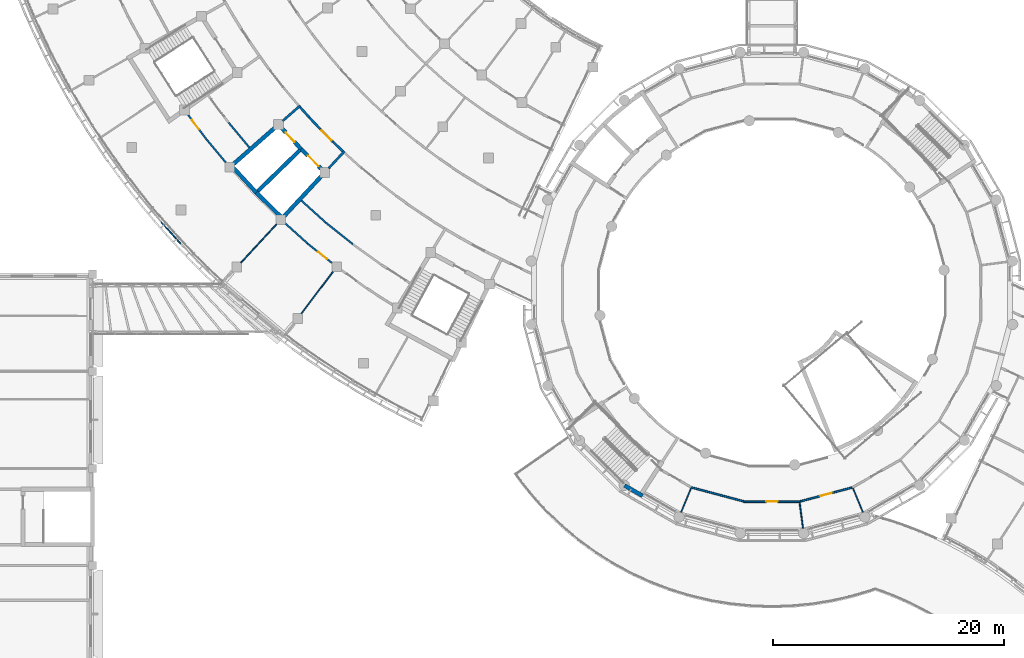
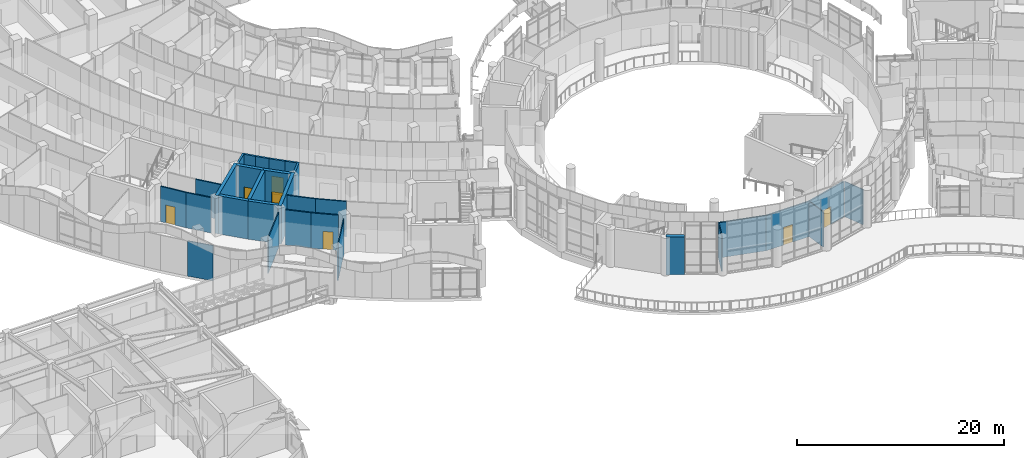
# One storey, part 60 of 136: 30 walls, 7 doors, 7 openings.
"""IFC4 building model written with IfcOpenShell, lengths in metres."""

from ifc_helpers import new_model, si_unit, direction, frame, frame_2d, origin, place, context, subcontext, project, spatial, rectangle, extrude, material, layer, layer_set, type_object, element, fill, save


model = new_model("IFC4")

# Units and contexts
model_context = context("Model", 3, precision=1e-05, world=origin(), true_north=direction((0.0, 1.0)))
body_context = subcontext(model_context, "Body", "Model", "MODEL_VIEW")
ifc_project = project(units=[si_unit("LENGTHUNIT", "METRE"), si_unit("AREAUNIT", "SQUARE_METRE"), si_unit("VOLUMEUNIT", "CUBIC_METRE"), si_unit("PLANEANGLEUNIT", "RADIAN"), si_unit("MASSUNIT", "GRAM", prefix="KILO")], contexts=[model_context])

# Site, building, storey
site_placement = place(None, origin())
site = spatial("IfcSite", under=ifc_project, at=site_placement, CompositionType="ELEMENT")
building_placement = place(site_placement, origin())
building = spatial("IfcBuilding", under=site, at=building_placement, Name="Bougainvillea Quay General Hospital", CompositionType="ELEMENT")
storey_placement = place(building_placement, frame((0.0, 0.0, 5.39990234375)))
storey = spatial("IfcBuildingStorey", under=building, at=storey_placement, Name="L01", CompositionType="ELEMENT", Elevation=5.39990234375)

# Walls
ifc_material_1 = material(Name="Gypsum board partition on steel studs", Category="steel")
ifc_layer_1 = layer(ifc_material_1, 0.10009765625)
ifc_layer_set_1 = layer_set([ifc_layer_1], Name="Gypsum board partition on steel studs")
wall_type_1 = type_object("IfcWallType", Name="Partition 100 Gypsum board partition EI 30", PredefinedType="PARTITIONING", material=ifc_layer_set_1)
wall_1_placement = place(storey_placement, frame((63.244140625, 76.607421875, 0.0), z_axis=(0.0, 0.0, 1.0), x_axis=(0.681263193371, 0.732038565485, 0.0)))
element("IfcWall", 1, at=wall_1_placement, inside=storey, type_object=wall_type_1, Name="Partition 100 mm EI 30", PredefinedType="PARTITIONING", context=body_context, shape_type="SweptSolid", body=[
    extrude(rectangle(XDim=4.529296875, YDim=0.10009765625, at=frame_2d((2.2646484375, 0.0))), origin(), (0.0, 0.0, 1.0), 4.150146484375),
])
wall_2_placement = place(storey_placement, frame((68.4833984375, 72.210693359375, 0.0), z_axis=(0.0, 0.0, 1.0), x_axis=(0.603594766434, 0.797291262923, 0.0)))
element("IfcWall", 2, at=wall_2_placement, inside=storey, type_object=wall_type_1, Name="Partition 100 mm EI 30", PredefinedType="PARTITIONING", context=body_context, shape_type="SweptSolid", body=[
    extrude(rectangle(XDim=4.523681640625, YDim=0.10009765625, at=frame_2d((2.26171875, 0.0))), origin(), (0.0, 0.0, 1.0), 4.150146484375),
])
wall_3_placement = place(storey_placement, frame((116.206298828125, 57.084228515625, 0.0), z_axis=(0.0, 0.0, 1.0), x_axis=(0.382829249812, -0.923819119465, 0.0)))
element("IfcWall", 3, at=wall_3_placement, inside=storey, type_object=wall_type_1, Name="Partition 100 mm EI 30", PredefinedType="PARTITIONING", context=body_context, shape_type="SweptSolid", body=[
    extrude(rectangle(XDim=2.242919921875, YDim=0.10009765625, at=frame_2d((1.12158203125, 0.0))), origin(), (0.0, 0.0, 1.0), 4.150146484375),
])
wall_4_placement = place(storey_placement, frame((101.335205078125, 55.01220703125, 0.0), z_axis=(0.0, 0.0, 1.0), x_axis=(0.382736345947, 0.923857613213, 0.0)))
element("IfcWall", 4, at=wall_4_placement, inside=storey, type_object=wall_type_1, Name="Partition 100 mm EI 30", PredefinedType="PARTITIONING", context=body_context, shape_type="SweptSolid", body=[
    extrude(rectangle(XDim=2.24267578125, YDim=0.10009765625, at=frame_2d((1.121337890625, 0.0))), origin(), (0.0, 0.0, 1.0), 4.150146484375),
])
wall_5_placement = place(storey_placement, frame((111.589599609375, 55.8466796875, 0.0), z_axis=(0.0, 0.0, 1.0), x_axis=(0.13062345865, -0.991432051151, 0.0)))
element("IfcWall", 5, at=wall_5_placement, inside=storey, type_object=wall_type_1, Name="Partition 100 mm EI 30", PredefinedType="PARTITIONING", context=body_context, shape_type="SweptSolid", body=[
    extrude(rectangle(XDim=2.242919921875, YDim=0.10009765625, at=frame_2d((1.12158203125, 0.0))), origin(), (0.0, 0.0, 1.0), 4.150146484375),
])
wall_6_placement = place(storey_placement, frame((56.333251953125, 80.126220703125, 0.0), z_axis=(0.0, 0.0, 1.0), x_axis=(0.66858915831, -0.743631990564, 0.0)))
element("IfcWall", 6, at=wall_6_placement, inside=storey, type_object=wall_type_1, Name="Partition 100 mm EI 30", PredefinedType="PARTITIONING", context=body_context, shape_type="SweptSolid", body=[
    extrude(rectangle(XDim=2.58642578125, YDim=0.10009765625, at=frame_2d((1.293212890625, 0.0))), origin(), (0.0, 0.0, 1.0), 4.150146484375),
])

# Wall, opening, door
ifc_material_2 = material(Name="Gypsum board partition on steel studs, insulated", Category="steel")
ifc_layer_2 = layer(ifc_material_2, 0.14990234375)
ifc_layer_set_2 = layer_set([ifc_layer_2], Name="Gypsum board partition on steel studs, insulated")
wall_type_2 = type_object("IfcWallType", Name="Partition 150 Gypsum board partition EI 30", PredefinedType="PARTITIONING", material=ifc_layer_set_2)
wall_7_placement = place(storey_placement, frame((106.7451171875, 55.927978515625, 0.0), z_axis=(0.0, 0.0, 1.0), x_axis=(1.0, 0.0, 0.0)))
wall_7 = element("IfcWall", 7, at=wall_7_placement, inside=storey, type_object=wall_type_2, Name="Partition 150 mm EI 30", PredefinedType="PARTITIONING", context=body_context, shape_type="SweptSolid", body=[
    extrude(rectangle(XDim=4.908935546875, YDim=0.14990234375, at=frame_2d((2.45458984375, 0.0))), origin(), (0.0, 0.0, 1.0), 4.150146484375),
])
opening_1_placement = place(wall_7_placement, frame((1.95458984375, 0.0, 0.0)))
opening_1 = element("IfcOpeningElement", 8, at=opening_1_placement, cuts=wall_7, Name="Opening L01.288", PredefinedType="OPENING", context=body_context, shape_type="SweptSolid", body=[
    extrude(rectangle(XDim=1.0, YDim=2.10009765625, at=frame_2d((0.5, 1.050048828125))), frame((0.0, 0.0849609375, 0.0), z_axis=(0.0, -1.0, 0.0), x_axis=(1.0, 0.0, 0.0)), (0.0, 0.0, 1.0), 0.169921875),
])
ifc_material_3 = material(Name="Solid-core timber door leaf in steel frame", Category="steel")
door_type_1 = type_object("IfcDoorType", Name="Single leaf door 1000x2100 FD30S", OperationType="NOTDEFINED", PredefinedType="DOOR", material=ifc_material_3)
door_1_placement = place(opening_1_placement, frame((1.0, 0.0, 0.0), z_axis=(0.0, 0.0, 1.0), x_axis=(-1.0, 0.0, 0.0)))
door_1 = element("IfcDoor", 9, at=door_1_placement, inside=storey, type_object=door_type_1, Name="DT15 L01.288", OperationType="SINGLE_SWING_RIGHT", OverallHeight=2.10009765625, OverallWidth=1.0, PredefinedType="DOOR", context=body_context, shape_type="SweptSolid", body=[
    extrude(rectangle(XDim=1.0, YDim=2.10009765625, at=frame_2d((0.5, 1.050048828125))), frame((0.0, 0.02490234375, 0.0), z_axis=(0.0, -1.0, 0.0), x_axis=(1.0, 0.0, 0.0)), (0.0, 0.0, 1.0), 0.050048828125),
])
fill(opening_1, door_1)

wall_8_placement = place(storey_placement, frame((111.635009765625, 55.943115234375, 0.0), z_axis=(0.0, 0.0, 1.0), x_axis=(0.965901562331, 0.258909582454, 0.0)))
wall_8 = element("IfcWall", 10, at=wall_8_placement, inside=storey, type_object=wall_type_2, Name="Partition 150 mm EI 30", PredefinedType="PARTITIONING", context=body_context, shape_type="SweptSolid", body=[
    extrude(rectangle(XDim=4.64208984375, YDim=0.14990234375, at=frame_2d((2.321044921875, 0.0))), origin(), (0.0, 0.0, 1.0), 4.150146484375),
])
opening_2_placement = place(wall_8_placement, frame((1.8212890625, 0.0, 0.0)))
opening_2 = element("IfcOpeningElement", 11, at=opening_2_placement, cuts=wall_8, Name="Opening L01.289", PredefinedType="OPENING", context=body_context, shape_type="SweptSolid", body=[
    extrude(rectangle(XDim=1.0, YDim=2.10009765625, at=frame_2d((0.5, 1.050048828125))), frame((0.0, 0.0849609375, 0.0), z_axis=(0.0, -1.0, 0.0), x_axis=(1.0, 0.0, 0.0)), (0.0, 0.0, 1.0), 0.169921875),
])
door_2_placement = place(opening_2_placement, frame((1.0, 0.0, 0.0), z_axis=(0.0, 0.0, 1.0), x_axis=(-1.0, 0.0, 0.0)))
door_2 = element("IfcDoor", 12, at=door_2_placement, inside=storey, type_object=door_type_1, Name="DT15 L01.289", OperationType="SINGLE_SWING_LEFT", OverallHeight=2.10009765625, OverallWidth=1.0, PredefinedType="DOOR", context=body_context, shape_type="SweptSolid", body=[
    extrude(rectangle(XDim=1.0, YDim=2.10009765625, at=frame_2d((0.5, 1.050048828125))), frame((0.0, 0.02490234375, 0.0), z_axis=(0.0, -1.0, 0.0), x_axis=(1.0, 0.0, 0.0)), (0.0, 0.0, 1.0), 0.050048828125),
])
fill(opening_2, door_2)

# Wall
wall_9_placement = place(storey_placement, frame((102.152587890625, 57.179443359375, 0.0), z_axis=(0.0, 0.0, 1.0), x_axis=(0.965887773881, -0.258961016886, 0.0)))
element("IfcWall", 13, at=wall_9_placement, inside=storey, type_object=wall_type_2, Name="Partition 150 mm EI 30", PredefinedType="PARTITIONING", context=body_context, shape_type="SweptSolid", body=[
    extrude(rectangle(XDim=4.774169921875, YDim=0.14990234375, at=frame_2d((2.38720703125, 0.0))), origin(), (0.0, 0.0, 1.0), 4.150146484375),
])

# Wall, opening, door
wall_10_placement = place(storey_placement, frame((58.695068359375, 89.372802734375, 0.0), z_axis=(0.0, 0.0, 1.0), x_axis=(0.600189191088, -0.799858071724, 0.0)))
wall_10 = element("IfcWall", 14, at=wall_10_placement, inside=storey, type_object=wall_type_2, Name="Partition 150 mm EI 30", PredefinedType="PARTITIONING", context=body_context, shape_type="SweptSolid", body=[
    extrude(rectangle(XDim=2.683837890625, YDim=0.14990234375, at=frame_2d((1.341796875, 0.0))), origin(), (0.0, 0.0, 1.0), 4.150146484375),
])
opening_3_placement = place(wall_10_placement, frame((0.5263671875, 0.0, 0.0)))
opening_3 = element("IfcOpeningElement", 15, at=opening_3_placement, cuts=wall_10, Name="Opening L01.252", PredefinedType="OPENING", context=body_context, shape_type="SweptSolid", body=[
    extrude(rectangle(XDim=1.0, YDim=2.10009765625, at=frame_2d((0.5, 1.050048828125))), frame((0.0, 0.0849609375, 0.0), z_axis=(0.0, -1.0, 0.0), x_axis=(1.0, 0.0, 0.0)), (0.0, 0.0, 1.0), 0.169921875),
])
door_3_placement = place(opening_3_placement, frame((1.0, 0.0, 0.0), z_axis=(0.0, 0.0, 1.0), x_axis=(-1.0, 0.0, 0.0)))
door_3 = element("IfcDoor", 16, at=door_3_placement, inside=storey, type_object=door_type_1, Name="DT15 L01.252", OperationType="SINGLE_SWING_RIGHT", OverallHeight=2.10009765625, OverallWidth=1.0, PredefinedType="DOOR", context=body_context, shape_type="SweptSolid", body=[
    extrude(rectangle(XDim=1.0, YDim=2.10009765625, at=frame_2d((0.5, 1.050048828125))), frame((0.0, 0.02490234375, 0.0), z_axis=(0.0, -1.0, 0.0), x_axis=(1.0, 0.0, 0.0)), (0.0, 0.0, 1.0), 0.050048828125),
])
fill(opening_3, door_3)

# Wall
wall_11_placement = place(storey_placement, frame((60.306640625, 87.231201171875, 0.0), z_axis=(0.0, 0.0, 1.0), x_axis=(0.64023135863, -0.768182144694, 0.0)))
element("IfcWall", 17, at=wall_11_placement, inside=storey, type_object=wall_type_2, Name="Partition 150 mm EI 30", PredefinedType="PARTITIONING", context=body_context, shape_type="SweptSolid", body=[
    extrude(rectangle(XDim=2.556884765625, YDim=0.14990234375, at=frame_2d((1.2783203125, 0.0))), origin(), (0.0, 0.0, 1.0), 4.150146484375),
])

# Wall, opening, door
wall_12_placement = place(storey_placement, frame((69.00634765625, 78.266845703125, 0.0), z_axis=(0.0, 0.0, 1.0), x_axis=(0.781841800916, -0.623476862715, 0.0)))
wall_12 = element("IfcWall", 18, at=wall_12_placement, inside=storey, type_object=wall_type_2, Name="Partition 150 mm EI 30", PredefinedType="PARTITIONING", context=body_context, shape_type="SweptSolid", body=[
    extrude(rectangle(XDim=2.690185546875, YDim=0.14990234375, at=frame_2d((1.34521484375, 0.0))), origin(), (0.0, 0.0, 1.0), 4.150146484375),
])
opening_4_placement = place(wall_12_placement, frame((1.1572265625, 0.0, 0.0)))
opening_4 = element("IfcOpeningElement", 19, at=opening_4_placement, cuts=wall_12, Name="Opening L01.251", PredefinedType="OPENING", context=body_context, shape_type="SweptSolid", body=[
    extrude(rectangle(XDim=1.0, YDim=2.10009765625, at=frame_2d((0.5, 1.050048828125))), frame((0.0, 0.0849609375, 0.0), z_axis=(0.0, -1.0, 0.0), x_axis=(1.0, 0.0, 0.0)), (0.0, 0.0, 1.0), 0.169921875),
])
door_4_placement = place(opening_4_placement, frame((1.0, 0.0, 0.0), z_axis=(0.0, 0.0, 1.0), x_axis=(-1.0, 0.0, 0.0)))
door_4 = element("IfcDoor", 20, at=door_4_placement, inside=storey, type_object=door_type_1, Name="DT15 L01.251", OperationType="SINGLE_SWING_LEFT", OverallHeight=2.10009765625, OverallWidth=1.0, PredefinedType="DOOR", context=body_context, shape_type="SweptSolid", body=[
    extrude(rectangle(XDim=1.0, YDim=2.10009765625, at=frame_2d((0.5, 1.050048828125))), frame((0.0, 0.02490234375, 0.0), z_axis=(0.0, -1.0, 0.0), x_axis=(1.0, 0.0, 0.0)), (0.0, 0.0, 1.0), 0.050048828125),
])
fill(opening_4, door_4)

# Walls
wall_13_placement = place(storey_placement, frame((67.119873046875, 79.970703125, 0.0), z_axis=(0.0, 0.0, 1.0), x_axis=(0.743284610851, -0.668975326355, 0.0)))
element("IfcWall", 21, at=wall_13_placement, inside=storey, type_object=wall_type_2, Name="Partition 150 mm EI 30", PredefinedType="PARTITIONING", context=body_context, shape_type="SweptSolid", body=[
    extrude(rectangle(XDim=2.546142578125, YDim=0.14990234375, at=frame_2d((1.27294921875, 0.0))), origin(), (0.0, 0.0, 1.0), 4.150146484375),
])
wall_14_placement = place(storey_placement, frame((70.55029296875, 80.104736328125, 0.0), z_axis=(0.0, 0.0, 1.0), x_axis=(0.781595469587, -0.623785637797, 0.0)))
element("IfcWall", 22, at=wall_14_placement, inside=storey, type_object=wall_type_2, Name="Partition 150 mm EI 30", PredefinedType="PARTITIONING", context=body_context, shape_type="SweptSolid", body=[
    extrude(rectangle(XDim=3.046142578125, YDim=0.14990234375, at=frame_2d((1.52294921875, 0.0))), origin(), (0.0, 0.0, 1.0), 4.150146484375),
])
wall_15_placement = place(storey_placement, frame((62.188720703125, 88.72021484375, 0.0), z_axis=(0.0, 0.0, 1.0), x_axis=(0.640253147886, -0.7681639842, 0.0)))
element("IfcWall", 23, at=wall_15_placement, inside=storey, type_object=wall_type_2, Name="Partition 150 mm EI 30", PredefinedType="PARTITIONING", context=body_context, shape_type="SweptSolid", body=[
    extrude(rectangle(XDim=2.794189453125, YDim=0.14990234375, at=frame_2d((1.39697265625, 0.0))), origin(), (0.0, 0.0, 1.0), 4.150146484375),
])
wall_16_placement = place(storey_placement, frame((68.478271484375, 81.97412109375, 0.0), z_axis=(0.0, 0.0, 1.0), x_axis=(0.743546016741, -0.66868476952, 0.0)))
element("IfcWall", 24, at=wall_16_placement, inside=storey, type_object=wall_type_2, Name="Partition 150 mm EI 30", PredefinedType="PARTITIONING", context=body_context, shape_type="SweptSolid", body=[
    extrude(rectangle(XDim=2.794921875, YDim=0.14990234375, at=frame_2d((1.3974609375, 0.0))), origin(), (0.0, 0.0, 1.0), 4.150146484375),
])
ifc_material_4 = material(Name="Fire-rated autoclaved aerated block wall, plastered")
ifc_layer_3 = layer(ifc_material_4, 0.199951171875)
ifc_layer_set_3 = layer_set([ifc_layer_3], Name="Fire-rated autoclaved aerated block wall, plastered")
wall_type_3 = type_object("IfcWallType", Name="Partition 200 Fire-rated autoclaved aerated block wall EI 120", PredefinedType="SOLIDWALL", material=ifc_layer_set_3)
wall_17_placement = place(storey_placement, frame((70.83740234375, 84.768798828125, 0.0), z_axis=(0.0, 0.0, 1.0), x_axis=(0.681244203436, 0.732056237789, 0.0)))
element("IfcWall", 25, at=wall_17_placement, inside=storey, type_object=wall_type_3, Name="Partition 200 mm EI 120", PredefinedType="SOLIDWALL", context=body_context, shape_type="SweptSolid", body=[
    extrude(rectangle(XDim=2.01806640625, YDim=0.199951171875, at=frame_2d((1.009033203125, 0.0))), origin(), (0.0, 0.0, 1.0), 4.150146484375),
])
wall_18_placement = place(storey_placement, frame((66.869140625, 88.874267578125, 0.0), z_axis=(0.0, 0.0, 1.0), x_axis=(0.751874567132, 0.659306177205, 0.0)))
element("IfcWall", 26, at=wall_18_placement, inside=storey, type_object=wall_type_3, Name="Partition 200 mm EI 120", PredefinedType="SOLIDWALL", context=body_context, shape_type="SweptSolid", body=[
    extrude(rectangle(XDim=2.00439453125, YDim=0.199951171875, at=frame_2d((1.002197265625, 0.0))), origin(), (0.0, 0.0, 1.0), 4.150146484375),
])

# Wall, opening, door
wall_19_placement = place(storey_placement, frame((70.101318359375, 88.173828125, 0.0), z_axis=(0.0, 0.0, 1.0), x_axis=(0.705714994949, -0.708495833371, 0.0)))
wall_19 = element("IfcWall", 27, at=wall_19_placement, inside=storey, type_object=wall_type_3, Name="Partition 200 mm EI 120", PredefinedType="SOLIDWALL", context=body_context, shape_type="SweptSolid", body=[
    extrude(rectangle(XDim=1.580322265625, YDim=0.199951171875, at=frame_2d((0.7900390625, 0.0))), origin(), (0.0, 0.0, 1.0), 4.150146484375),
])
opening_5_placement = place(wall_19_placement, frame((0.190185546875, 0.0, 0.0)))
opening_5 = element("IfcOpeningElement", 28, at=opening_5_placement, cuts=wall_19, Name="Opening L01.235", PredefinedType="OPENING", context=body_context, shape_type="SweptSolid", body=[
    extrude(rectangle(XDim=1.199951171875, YDim=2.10009765625, at=frame_2d((0.60009765625, 1.050048828125))), frame((0.0, 0.10986328125, 0.0), z_axis=(0.0, -1.0, 0.0), x_axis=(1.0, 0.0, 0.0)), (0.0, 0.0, 1.0), 0.219970703125),
])
door_type_2 = type_object("IfcDoorType", Name="Single leaf door 1200x2100 FD60", OperationType="NOTDEFINED", PredefinedType="DOOR", material=ifc_material_3)
door_5_placement = place(opening_5_placement, frame((1.199951171875, 0.0, 0.0), z_axis=(0.0, 0.0, 1.0), x_axis=(-1.0, 0.0, 0.0)))
door_5 = element("IfcDoor", 29, at=door_5_placement, inside=storey, type_object=door_type_2, Name="DT12 L01.235", OperationType="SINGLE_SWING_LEFT", OverallHeight=2.10009765625, OverallWidth=1.199951171875, PredefinedType="DOOR", context=body_context, shape_type="SweptSolid", body=[
    extrude(rectangle(XDim=1.199951171875, YDim=2.10009765625, at=frame_2d((0.60009765625, 1.050048828125))), frame((0.0, 0.02490234375, 0.0), z_axis=(0.0, -1.0, 0.0), x_axis=(1.0, 0.0, 0.0)), (0.0, 0.0, 1.0), 0.050048828125),
])
fill(opening_5, door_5)

# Walls
wall_20_placement = place(storey_placement, frame((69.1552734375, 89.177490234375, 0.0), z_axis=(0.0, 0.0, 1.0), x_axis=(0.687313254989, -0.726361128858, 0.0)))
element("IfcWall", 30, at=wall_20_placement, inside=storey, type_object=wall_type_3, Name="Partition 200 mm EI 120", PredefinedType="SOLIDWALL", context=body_context, shape_type="SweptSolid", body=[
    extrude(rectangle(XDim=1.3818359375, YDim=0.199951171875, at=frame_2d((0.69091796875, 0.0))), origin(), (0.0, 0.0, 1.0), 4.150146484375),
])
for number, where, z_axis, x_axis, name in (
    (31, (68.368896484375, 90.0546875, 0.0), (0.0, 0.0, 1.0), (0.669113274241, -0.74316043102, 0.0), "Partition 200 mm EI 120"),
    (32, (71.216552734375, 87.0576171875, 0.0), (0.0, 0.0, 1.0), (0.723660671666, -0.6901559478, 0.0), "Partition 200 mm EI 120"),
):
    element("IfcWall", number, at=place(storey_placement, frame(where, z_axis=z_axis, x_axis=x_axis)), inside=storey, type_object=wall_type_3, Name=name, PredefinedType="SOLIDWALL", context=body_context, shape_type="SweptSolid", body=[
        extrude(rectangle(XDim=1.180419921875, YDim=0.199951171875, at=frame_2d((0.59033203125, 0.0))), origin(), (0.0, 0.0, 1.0), 4.150146484375),
    ])
ifc_material_5 = material(Name="Concrete C40", Category="concrete")
ifc_layer_4 = layer(ifc_material_5, 0.35009765625)
ifc_layer_set_4 = layer_set([ifc_layer_4], Name="Concrete C40")
wall_type_4 = type_object("IfcWallType", Name="RC SHEAR WALL 350 C40", PredefinedType="SHEAR", material=ifc_layer_set_4)
wall_21_placement = place(storey_placement, frame((62.305419921875, 84.87158203125, 0.0), z_axis=(0.0, 0.0, 1.0), x_axis=(0.751808220443, 0.659381831471, 0.0)))
element("IfcWall", 33, at=wall_21_placement, inside=storey, type_object=wall_type_4, Name="Shear wall L01", PredefinedType="SHEAR", context=body_context, shape_type="SweptSolid", body=[
    extrude(rectangle(XDim=5.75048828125, YDim=0.35009765625, at=frame_2d((2.875244140625, 0.0))), origin(), (0.0, 0.0, 1.0), 4.5),
])
wall_22_placement = place(storey_placement, frame((62.5556640625, 84.8583984375, 0.0), z_axis=(0.0, 0.0, 1.0), x_axis=(0.67818124014, -0.73489469009, 0.0)))
element("IfcWall", 34, at=wall_22_placement, inside=storey, type_object=wall_type_4, Name="Shear wall L01", PredefinedType="SHEAR", context=body_context, shape_type="SweptSolid", body=[
    extrude(rectangle(XDim=2.974609375, YDim=0.35009765625, at=frame_2d((1.4873046875, 0.0))), origin(), (0.0, 0.0, 1.0), 4.5),
])
wall_23_placement = place(storey_placement, frame((64.5791015625, 82.665771484375, 0.0), z_axis=(0.0, 0.0, 1.0), x_axis=(0.714695816666, -0.699435407769, 0.0)))
element("IfcWall", 35, at=wall_23_placement, inside=storey, type_object=wall_type_4, Name="Shear wall L01", PredefinedType="SHEAR", context=body_context, shape_type="SweptSolid", body=[
    extrude(rectangle(XDim=2.9755859375, YDim=0.35009765625, at=frame_2d((1.48779296875, 0.0))), origin(), (0.0, 0.0, 1.0), 4.5),
])
wall_24_placement = place(storey_placement, frame((64.70166015625, 82.791015625, 0.0), z_axis=(0.0, 0.0, 1.0), x_axis=(0.717400873641, 0.696660596345, 0.0)))
element("IfcWall", 36, at=wall_24_placement, inside=storey, type_object=wall_type_4, Name="Shear wall L01", PredefinedType="SHEAR", context=body_context, shape_type="SweptSolid", body=[
    extrude(rectangle(XDim=5.0498046875, YDim=0.35009765625, at=frame_2d((2.52490234375, 0.0))), origin(), (0.0, 0.0, 1.0), 4.5),
])
wall_25_placement = place(storey_placement, frame((66.7119140625, 80.333984375, 0.0), z_axis=(0.0, 0.0, 1.0), x_axis=(0.681084356202, 0.732204957465, 0.0)))
element("IfcWall", 37, at=wall_25_placement, inside=storey, type_object=wall_type_4, Name="Shear wall L01", PredefinedType="SHEAR", context=body_context, shape_type="SweptSolid", body=[
    extrude(rectangle(XDim=5.75, YDim=0.35009765625, at=frame_2d((2.875, 0.0))), origin(), (0.0, 0.0, 1.0), 4.5),
])

# Wall, opening, door
wall_26_placement = place(storey_placement, frame((68.447021484375, 86.434326171875, 0.0), z_axis=(0.0, 0.0, 1.0), x_axis=(-0.678058558992, 0.735007884704, 0.0)))
wall_26 = element("IfcWall", 38, at=wall_26_placement, inside=storey, type_object=wall_type_4, Name="Shear wall L01", PredefinedType="SHEAR", context=body_context, shape_type="SweptSolid", body=[
    extrude(rectangle(XDim=2.70068359375, YDim=0.35009765625, at=frame_2d((1.350341796875, 0.0))), origin(), (0.0, 0.0, 1.0), 4.5),
])
opening_6_placement = place(wall_26_placement, frame((0.85009765625, 0.0, 0.0)))
opening_6 = element("IfcOpeningElement", 39, at=opening_6_placement, cuts=wall_26, Name="Opening LD-W1.2-L01", PredefinedType="OPENING", context=body_context, shape_type="SweptSolid", body=[
    extrude(rectangle(XDim=1.10009765625, YDim=2.10009765625, at=frame_2d((0.550048828125, 1.050048828125))), frame((0.0, 0.18505859375, 0.0), z_axis=(0.0, -1.0, 0.0), x_axis=(1.0, 0.0, 0.0)), (0.0, 0.0, 1.0), 0.3701171875),
])
ifc_material_6 = material(Name="Stainless steel centre-opening landing door", Category="steel")
door_type_3 = type_object("IfcDoorType", Name="Lift landing door 1100x2100 E 120", OperationType="DOUBLE_DOOR_SLIDING", PredefinedType="DOOR", material=ifc_material_6)
door_6_placement = place(opening_6_placement, origin())
door_6 = element("IfcDoor", 40, at=door_6_placement, inside=storey, type_object=door_type_3, Name="Lift landing door LB-W1-2 L01", OperationType="DOUBLE_DOOR_SLIDING", OverallHeight=2.10009765625, OverallWidth=1.10009765625, PredefinedType="DOOR", context=body_context, shape_type="SweptSolid", body=[
    extrude(rectangle(XDim=1.10009765625, YDim=2.10009765625, at=frame_2d((0.550048828125, 1.050048828125))), frame((0.0, 0.02490234375, 0.0), z_axis=(0.0, -1.0, 0.0), x_axis=(1.0, 0.0, 0.0)), (0.0, 0.0, 1.0), 0.050048828125),
])
fill(opening_6, door_6)

wall_27_placement = place(storey_placement, frame((70.384033203125, 84.538330078125, 0.0), z_axis=(0.0, 0.0, 1.0), x_axis=(-0.714701443082, 0.699429658548, 0.0)))
wall_27 = element("IfcWall", 41, at=wall_27_placement, inside=storey, type_object=wall_type_4, Name="Shear wall L01", PredefinedType="SHEAR", context=body_context, shape_type="SweptSolid", body=[
    extrude(rectangle(XDim=2.70166015625, YDim=0.35009765625, at=frame_2d((1.350830078125, 0.0))), origin(), (0.0, 0.0, 1.0), 4.5),
])
opening_7_placement = place(wall_27_placement, frame((0.580810546875, 0.0, 0.0)))
opening_7 = element("IfcOpeningElement", 42, at=opening_7_placement, cuts=wall_27, Name="Opening LD-W1.1-L01", PredefinedType="OPENING", context=body_context, shape_type="SweptSolid", body=[
    extrude(rectangle(XDim=1.300048828125, YDim=2.10009765625, at=frame_2d((0.64990234375, 1.050048828125))), frame((0.0, 0.18505859375, 0.0), z_axis=(0.0, -1.0, 0.0), x_axis=(1.0, 0.0, 0.0)), (0.0, 0.0, 1.0), 0.3701171875),
])
door_type_4 = type_object("IfcDoorType", Name="Lift landing door 1300x2100 E 120", OperationType="DOUBLE_DOOR_SLIDING", PredefinedType="DOOR", material=ifc_material_6)
door_7_placement = place(opening_7_placement, origin())
door_7 = element("IfcDoor", 43, at=door_7_placement, inside=storey, type_object=door_type_4, Name="Lift landing door LB-W1-1 L01", OperationType="DOUBLE_DOOR_SLIDING", OverallHeight=2.10009765625, OverallWidth=1.300048828125, PredefinedType="DOOR", context=body_context, shape_type="SweptSolid", body=[
    extrude(rectangle(XDim=1.300048828125, YDim=2.10009765625, at=frame_2d((0.64990234375, 1.050048828125))), frame((0.0, 0.02490234375, 0.0), z_axis=(0.0, -1.0, 0.0), x_axis=(1.0, 0.0, 0.0)), (0.0, 0.0, 1.0), 0.050048828125),
])
fill(opening_7, door_7)

# Wall
wall_28_placement = place(storey_placement, frame((96.43603515625, 57.328369140625, 0.0), z_axis=(0.0, 0.0, 1.0), x_axis=(0.866050214951, -0.499957023337, 0.0)))
element("IfcWall", 44, at=wall_28_placement, inside=storey, type_object=wall_type_4, Name="Shear wall L01", PredefinedType="SHEAR", context=body_context, shape_type="SweptSolid", body=[
    extrude(rectangle(XDim=1.802001953125, YDim=0.35009765625, at=frame_2d((0.90087890625, 0.0))), origin(), (0.0, 0.0, 1.0), 4.5),
])

save(model, "model.ifc")
